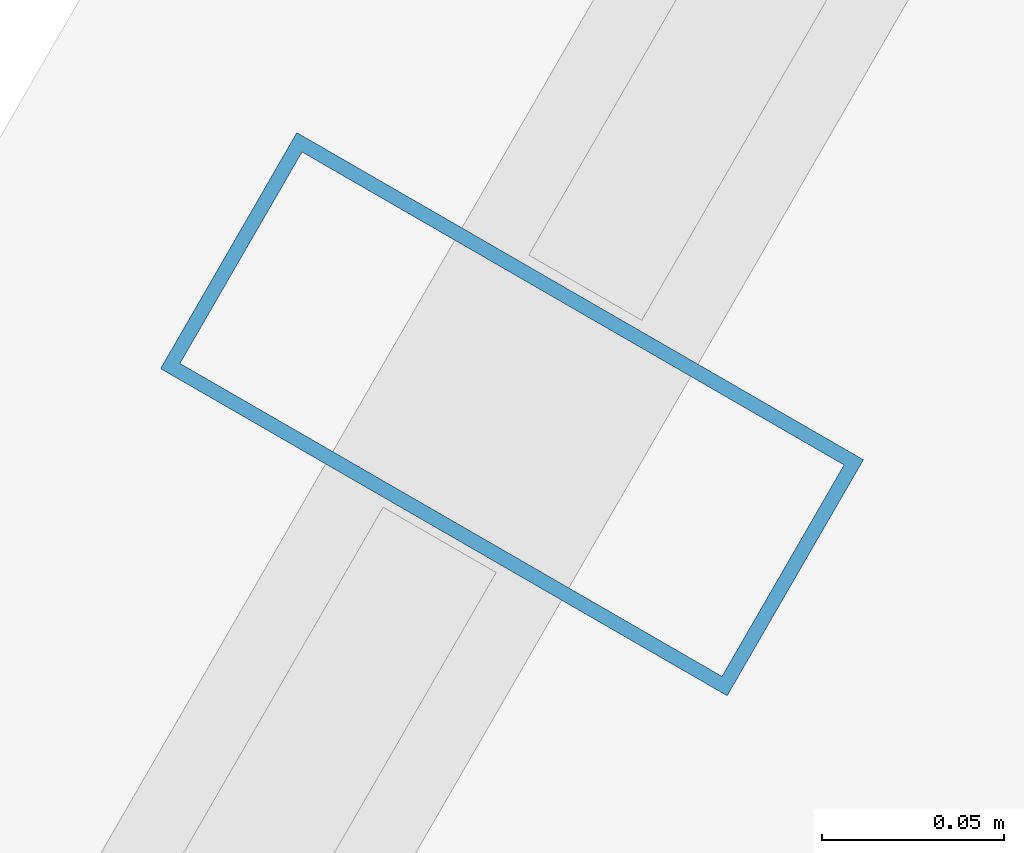
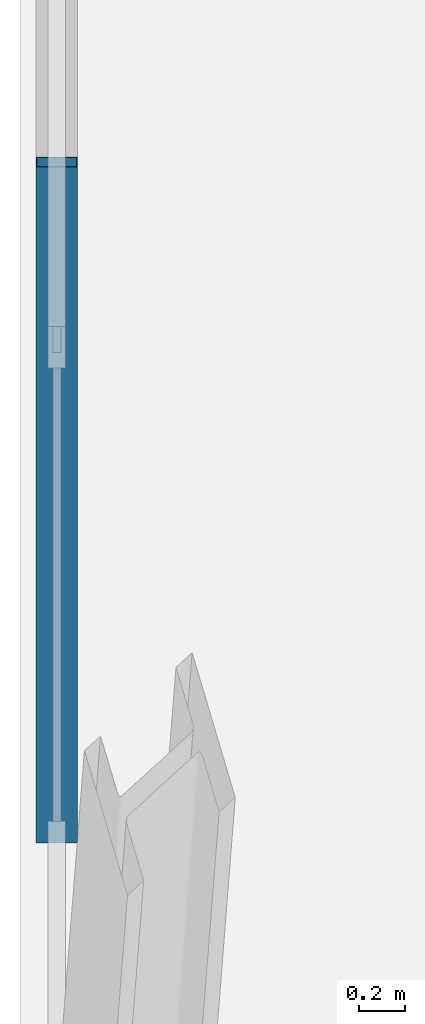
# One storey, part 14 of 33: 1 member, 1 element without a shape of its own.
"""IFC4 building model written with IfcOpenShell, lengths in metres."""

import ifcopenshell
import ifcopenshell.guid

model = None  # the IFC model being written
_history = None  # IfcOwnerHistory: only IFC2X3 demands one
_inside = {}  # id of a spatial element -> (the spatial element, [elements in it])
_under = {}  # id of a project, library or spatial element -> (it, [spatial elements below it])
_declared = {}  # id of a project -> (the project, [libraries it declares])
_typed = {}  # id of a type object -> (the type object, [elements of that type])
_made_of = {}  # id of a material, layer set ... -> (it, [elements and type objects made of it])


def new_model(schema):
    """Start an empty IFC model of exactly this schema.

    Asked for "IFC4X3", IfcOpenShell would pick the latest addendum, in which some entities
    have other attributes; the version numbers below select the first issue.
    IFC2X3 requires an IfcOwnerHistory on every rooted entity: one is made here for all.
    """
    global model, _history
    if schema == "IFC4X3":
        model = ifcopenshell.file(schema_version=(4, 3, 0, 0))
    else:
        model = ifcopenshell.file(schema=schema)
    _inside.clear()
    _under.clear()
    _declared.clear()
    _typed.clear()
    _made_of.clear()
    _history = None
    if model.schema == "IFC2X3":
        org = make("IfcOrganization", Name="unknown")
        user = make(
            "IfcPersonAndOrganization",
            ThePerson=make("IfcPerson", FamilyName="unknown"),
            TheOrganization=org,
        )
        app = make(
            "IfcApplication",
            ApplicationDeveloper=org,
            Version="unknown",
            ApplicationFullName="unknown",
            ApplicationIdentifier="unknown",
        )
        _history = make(
            "IfcOwnerHistory",
            OwningUser=user,
            OwningApplication=app,
            ChangeAction="ADDED",
            CreationDate=0,
        )
    return model


def make(cls, **values):
    """One entity of the class cls with the attributes given. An attribute that is None is left unset."""
    return model.create_entity(
        cls, **{name: value for name, value in values.items() if value is not None}
    )


def rooted(cls, **values):
    """An entity with a GlobalId (a new one), such as an element, a storey or a relation."""
    return make(cls, GlobalId=ifcopenshell.guid.new(), OwnerHistory=_history, **values)


def si_unit(unit_type, name, prefix=None):
    """IfcSIUnit, for example si_unit("LENGTHUNIT", "METRE", prefix="MILLI")."""
    return make("IfcSIUnit", UnitType=unit_type, Prefix=prefix, Name=name)


def assignment(units):
    """IfcUnitAssignment: the units of a project."""
    return None if units is None else make("IfcUnitAssignment", Units=units)


def point(xyz):
    """IfcCartesianPoint."""
    return None if xyz is None else make("IfcCartesianPoint", Coordinates=xyz)


def direction(xyz):
    """IfcDirection."""
    return None if xyz is None else make("IfcDirection", DirectionRatios=xyz)


def frame(location, z_axis=None, x_axis=None):
    """IfcAxis2Placement3D, a coordinate frame: its origin and axes. An axis left out is left unset."""
    return make(
        "IfcAxis2Placement3D",
        Location=point(location),
        Axis=direction(z_axis),
        RefDirection=direction(x_axis),
    )


def frame_2d(location, x_axis=None):
    """IfcAxis2Placement2D, a coordinate frame in the plane: its origin and x axis."""
    return make(
        "IfcAxis2Placement2D", Location=point(location), RefDirection=direction(x_axis)
    )


def origin():
    """The frame at (0, 0, 0) with its axes left unset."""
    return frame((0.0, 0.0, 0.0))


def origin_2d():
    """The frame at (0, 0) in the plane with its x axis left unset."""
    return frame_2d((0.0, 0.0))


def place(relative_to, where):
    """IfcLocalPlacement: puts the frame where relative to a parent placement (None: the world)."""
    return make(
        "IfcLocalPlacement", PlacementRelTo=relative_to, RelativePlacement=where
    )


def context(
    kind, dimensions, precision=None, world=None, true_north=None, identifier=None
):
    """IfcGeometricRepresentationContext, for example the 3D "Model" context."""
    return make(
        "IfcGeometricRepresentationContext",
        ContextIdentifier=identifier,
        ContextType=kind,
        CoordinateSpaceDimension=dimensions,
        Precision=precision,
        WorldCoordinateSystem=world,
        TrueNorth=true_north,
    )


def subcontext(parent, identifier, kind, view, scale=None):
    """IfcGeometricRepresentationSubContext, for example "Body" below "Model"."""
    return make(
        "IfcGeometricRepresentationSubContext",
        ContextIdentifier=identifier,
        ContextType=kind,
        ParentContext=parent,
        TargetScale=scale,
        TargetView=view,
    )


def project(units=None, contexts=None):
    """IfcProject with its units and contexts."""
    return rooted(
        "IfcProject",
        Name="project",
        RepresentationContexts=contexts,
        UnitsInContext=assignment(units),
    )


def spatial(cls, under=None, at=None, **own):
    """A site, building, storey or space (cls), placed at a placement, below another one or the project."""
    s = rooted(cls, ObjectPlacement=at, **own)
    if under is not None:
        _under.setdefault(under.id(), (under, []))[1].append(s)
    return s


def profile(cls, at=None, kind="AREA", **sizes):
    """A parametric profile (cls). Its sizes go by their IFC names, for example OverallWidth=200.0."""
    return make(cls, ProfileType=kind, Position=at, **sizes)


def hollow_rectangle(**sizes):
    """IfcRectangleHollowProfileDef."""
    return profile("IfcRectangleHollowProfileDef", **sizes)


def extrude(swept, where, along, depth):
    """IfcExtrudedAreaSolid: the profile swept, set in the frame where, extruded along a direction by depth."""
    return make(
        "IfcExtrudedAreaSolid",
        SweptArea=swept,
        Position=where,
        ExtrudedDirection=direction(along),
        Depth=depth,
    )


def shape(context_of_items, identifier, shape_type, items):
    """IfcShapeRepresentation: the items that make up one representation, for example the "Body"."""
    return make(
        "IfcShapeRepresentation",
        ContextOfItems=context_of_items,
        RepresentationIdentifier=identifier,
        RepresentationType=shape_type,
        Items=items,
    )


def material(Name=None, Category=None):
    """IfcMaterial."""
    return make("IfcMaterial", Name=Name, Category=Category)


def layer(
    of_material, thickness, ventilated=None, Name=None, Category=None, Priority=None
):
    """IfcMaterialLayer: one layer of a wall or slab, of a material (None: an air gap)."""
    return make(
        "IfcMaterialLayer",
        Material=of_material,
        LayerThickness=thickness,
        IsVentilated=ventilated,
        Name=Name,
        Category=Category,
        Priority=Priority,
    )


def layer_set(layers, Name=None):
    """IfcMaterialLayerSet."""
    return make("IfcMaterialLayerSet", MaterialLayers=layers, LayerSetName=Name)


def material_profile(
    of_material, cross_section, Name=None, Category=None, Priority=None
):
    """IfcMaterialProfile: a cross section and its material."""
    return make(
        "IfcMaterialProfile",
        Name=Name,
        Material=of_material,
        Profile=cross_section,
        Priority=Priority,
        Category=Category,
    )


def profile_set(profiles, Name=None, composite=None):
    """IfcMaterialProfileSet."""
    return make(
        "IfcMaterialProfileSet",
        Name=Name,
        MaterialProfiles=profiles,
        CompositeProfile=composite,
    )


def made_of(thing, what):
    """Note that an element or type object is made of a material, layer set ...; save() writes the relation."""
    if what is not None:
        _made_of.setdefault(what.id(), (what, []))[1].append(thing)
    return thing


def type_object(cls, material=None, **own):
    """A type object (cls), such as IfcWallType, which elements share."""
    return made_of(rooted(cls, **own), material)


def element(
    cls,
    number,
    at=None,
    inside=None,
    cuts=None,
    type_object=None,
    material=None,
    context=None,
    identifier="Body",
    shape_type=None,
    held_by="IfcProductDefinitionShape",
    body=None,
    shapes=None,
    **own,
):
    """One element of the class cls, such as IfcWall. Its Tag is "e" and its number.

    at: its placement. inside: the storey or other place that contains it. cuts: it is an
    opening in that element (IfcRelVoidsElement). A single representation is given by context,
    identifier, shape_type and body (its items); several are given by shapes. held_by: the class
    of the entity that holds the representations. save() writes the other relations.
    """
    e = rooted(cls, Tag="e%d" % number, ObjectPlacement=at, **own)
    if body is not None:
        shapes = [shape(context, identifier, shape_type, body)]
    if shapes is not None:
        e.Representation = make(held_by, Representations=shapes)
    if inside is not None:
        _inside.setdefault(inside.id(), (inside, []))[1].append(e)
    if cuts is not None:
        rooted(
            "IfcRelVoidsElement", RelatingBuildingElement=cuts, RelatedOpeningElement=e
        )
    if type_object is not None:
        _typed.setdefault(type_object.id(), (type_object, []))[1].append(e)
    return made_of(e, material)


def aggregate(whole, parts):
    """IfcRelAggregates: a whole, such as a stair, and the parts it consists of."""
    return rooted("IfcRelAggregates", RelatingObject=whole, RelatedObjects=parts)


def save(model, path):
    """Write the relations noted so far, then the file.

    IfcRelAggregates (storeys below a building ...), IfcRelContainedInSpatialStructure (elements
    in a storey), IfcRelDefinesByType, IfcRelAssociatesMaterial and IfcRelDeclares: one each for
    every whole, place, type object, material and project.
    """
    for whole, parts in _under.values():
        aggregate(whole, parts)
    for where, things in _inside.values():
        rooted(
            "IfcRelContainedInSpatialStructure",
            RelatedElements=things,
            RelatingStructure=where,
        )
    for kind, things in _typed.values():
        rooted("IfcRelDefinesByType", RelatedObjects=things, RelatingType=kind)
    for what, things in _made_of.values():
        rooted("IfcRelAssociatesMaterial", RelatedObjects=things, RelatingMaterial=what)
    for by, libraries in _declared.values():
        rooted("IfcRelDeclares", RelatingContext=by, RelatedDefinitions=libraries)
    model.write(path)


model = new_model("IFC4")

# Units and contexts
model_context = context("Model", 3, precision=1e-05, world=origin(), true_north=direction((0.0, 1.0)))
body_context = subcontext(model_context, "Body", "Model", "MODEL_VIEW")
ifc_project = project(units=[si_unit("LENGTHUNIT", "METRE"), si_unit("AREAUNIT", "SQUARE_METRE"), si_unit("VOLUMEUNIT", "CUBIC_METRE"), si_unit("PLANEANGLEUNIT", "RADIAN"), si_unit("MASSUNIT", "GRAM", prefix="KILO")], contexts=[model_context])

# Site, building, storey
site_placement = place(None, origin())
site = spatial("IfcSite", under=ifc_project, at=site_placement, CompositionType="ELEMENT")
building_placement = place(site_placement, origin())
building = spatial("IfcBuilding", under=site, at=building_placement, Name="Ndaravel Arena Tower", CompositionType="ELEMENT")
storey_placement = place(building_placement, frame((0.0, 0.0, 89.199951171875)))
storey = spatial("IfcBuildingStorey", under=building, at=storey_placement, Name="L20", CompositionType="ELEMENT", Elevation=89.199951171875)

# Curtain wall, member
ifc_material_1 = material(Name="Aluminium", Category="aluminium")
ifc_layer = layer(ifc_material_1, 0.179931640625)
ifc_layer_set = layer_set([ifc_layer], Name="Aluminium")
curtain_wall_type = type_object("IfcCurtainWallType", Name="CW-SYS-03", PredefinedType="NOTDEFINED", material=ifc_layer_set)
curtain_wall_placement = place(storey_placement, origin())
curtain_wall = element("IfcCurtainWall", 1, at=curtain_wall_placement, inside=storey, type_object=curtain_wall_type, Name="L20 Faceted Crystal Curtain Wall CW-L20-E05", PredefinedType="NOTDEFINED")
ifc_material_2 = material(Name="Aluminium", Category="aluminium")
ifc_material_profile = material_profile(ifc_material_2, hollow_rectangle(XDim=0.074951171875, YDim=0.179931640625, WallThickness=0.00390625, at=origin_2d()), Name="CW MULLION 75x180x4")
ifc_profile_set = profile_set([ifc_material_profile], Name="Aluminium")
member_type = type_object("IfcMemberType", Name="MEM-CW-MUL180", PredefinedType="MULLION", material=ifc_profile_set)
member_placement = place(storey_placement, frame((27.800537109375, 33.78955078125, 0.0), z_axis=(0.0, 0.0, 1.0), x_axis=(-0.5, -0.866025403784, 0.0)))
member = element("IfcMember", 2, at=member_placement, type_object=member_type, Name="CW-L20-E05 Mullion 03", PredefinedType="MULLION", context=body_context, shape_type="SweptSolid", body=[
    extrude(hollow_rectangle(XDim=0.074951171875, YDim=0.179931640625, WallThickness=0.00390625, at=origin_2d()), origin(), (0.0, 0.0, 1.0), 3.580078125),
])
aggregate(curtain_wall, [member])

save(model, "model.ifc")
